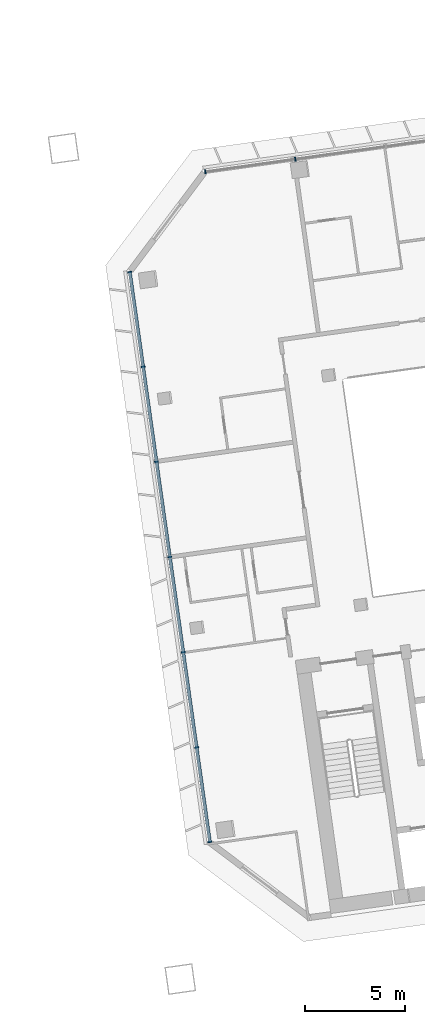
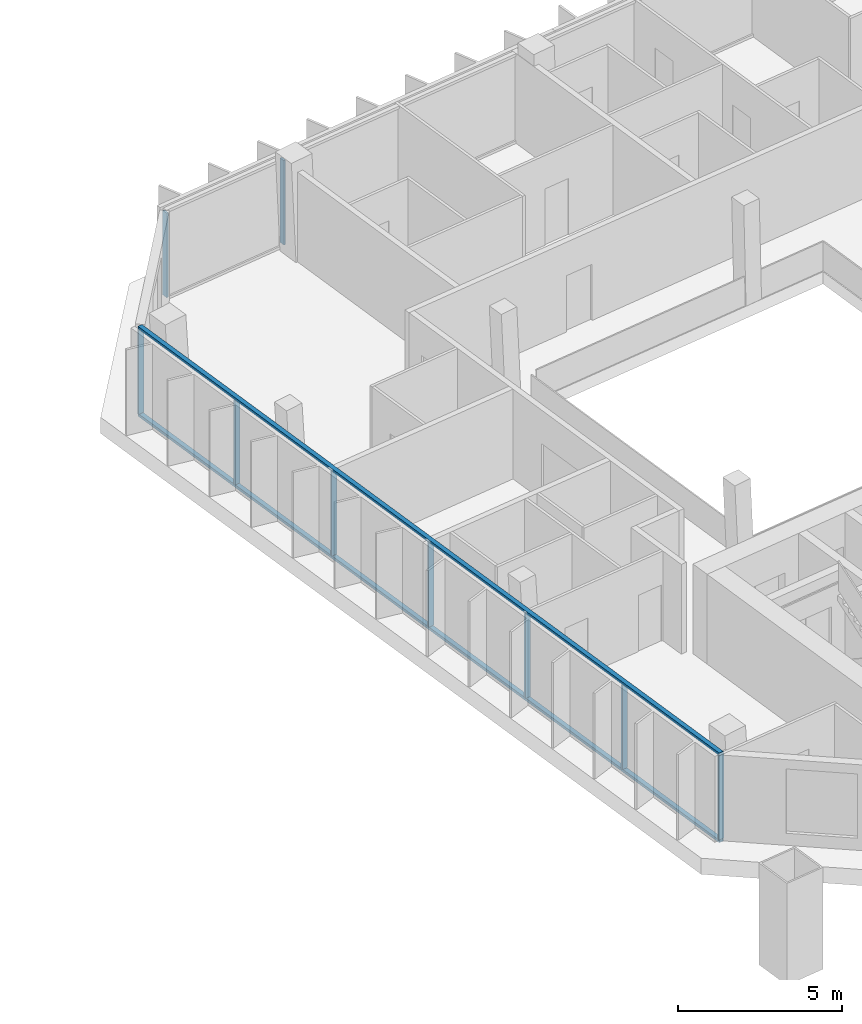
# One storey, part 7 of 23: 11 members, 2 elements without a shape of their own.
"""IFC4 building model written with IfcOpenShell, lengths in metres."""

from ifc_helpers import new_model, si_unit, direction, frame, origin, origin_2d, place, context, subcontext, project, spatial, rectangle, extrude, material, material_profile, profile_set, type_object, element, aggregate, save


model = new_model("IFC4")

# Units and contexts
model_context = context("Model", 3, precision=1e-05, world=origin(), true_north=direction((0.0, 1.0)))
body_context = subcontext(model_context, "Body", "Model", "MODEL_VIEW")
ifc_project = project(units=[si_unit("LENGTHUNIT", "METRE"), si_unit("AREAUNIT", "SQUARE_METRE"), si_unit("VOLUMEUNIT", "CUBIC_METRE"), si_unit("PLANEANGLEUNIT", "RADIAN"), si_unit("MASSUNIT", "GRAM", prefix="KILO")], contexts=[model_context])

# Site, building, storey
site_placement = place(None, origin())
site = spatial("IfcSite", under=ifc_project, at=site_placement, CompositionType="ELEMENT")
building_placement = place(site_placement, origin())
building = spatial("IfcBuilding", under=site, at=building_placement, Name="Mirante Cascada Hotel Towers", CompositionType="ELEMENT")
storey_placement = place(building_placement, frame((0.0, 0.0, 180.2)))
storey = spatial("IfcBuildingStorey", under=building, at=storey_placement, Name="L42", CompositionType="ELEMENT", Elevation=180.2)

# Curtain wall, members
ifc_material_1 = material(Name="Aluminium mullion and transom frame with clear laminated glass", Category="aluminium")
curtain_wall_type_1 = type_object("IfcCurtainWallType", Name="Ribbon curtain wall ECW1", PredefinedType="NOTDEFINED", material=ifc_material_1)
curtain_wall_1_placement = place(storey_placement, origin())
curtain_wall_1 = element("IfcCurtainWall", 1, at=curtain_wall_1_placement, inside=storey, type_object=curtain_wall_type_1, Name="Front ribbon wall T2 L42", PredefinedType="NOTDEFINED")
ifc_material_2 = material(Name="Anodised aluminium extrusion", Category="aluminium")
ifc_material_profile_1 = material_profile(ifc_material_2, rectangle(XDim=0.2, YDim=0.065, at=origin_2d()), Name="ECW1 MULLION 65x200")
ifc_profile_set_1 = profile_set([ifc_material_profile_1], Name="Anodised aluminium extrusion")
member_type_1 = type_object("IfcMemberType", Name="ECW1 mullion 65x200", PredefinedType="MULLION", material=ifc_profile_set_1)
member_1_placement = place(storey_placement, frame((35.4933, 17.8073, 0.1), z_axis=(0.0, 0.0, 1.0), x_axis=(0.1391731, -0.9902681, 0.0)))
member_1 = element("IfcMember", 2, at=member_1_placement, type_object=member_type_1, Name="ECW1 mullion 10", PredefinedType="MULLION", context=body_context, shape_type="SweptSolid", body=[
    extrude(rectangle(XDim=0.2, YDim=0.065, at=origin_2d()), origin(), (0.0, 0.0, 1.0), 3.15),
])
member_2_placement = place(storey_placement, frame((30.9877, 17.1741, 0.1), z_axis=(0.0, 0.0, 1.0), x_axis=(0.1391731, -0.9902681, 0.0)))
member_2 = element("IfcMember", 3, at=member_2_placement, type_object=member_type_1, Name="ECW1 mullion 11", PredefinedType="MULLION", context=body_context, shape_type="SweptSolid", body=[
    extrude(rectangle(XDim=0.2, YDim=0.065, at=origin_2d()), origin(), (0.0, 0.0, 1.0), 3.15),
])
aggregate(curtain_wall_1, [member_1, member_2])

ifc_material_3 = material(Name="Aluminium mullion and transom frame with clear laminated glass", Category="aluminium")
curtain_wall_type_2 = type_object("IfcCurtainWallType", Name="End ribbon curtain wall ECW2", PredefinedType="NOTDEFINED", material=ifc_material_3)
curtain_wall_2_placement = place(storey_placement, origin())
curtain_wall_2 = element("IfcCurtainWall", 4, at=curtain_wall_2_placement, inside=storey, type_object=curtain_wall_type_2, Name="Inner end wall T2 L42", PredefinedType="NOTDEFINED")
ifc_material_4 = material(Name="Anodised aluminium extrusion", Category="aluminium")
ifc_material_profile_2 = material_profile(ifc_material_4, rectangle(XDim=0.2, YDim=0.065, at=origin_2d()), Name="ECW2 MULLION 65x200")
ifc_profile_set_2 = profile_set([ifc_material_profile_2], Name="Anodised aluminium extrusion")
member_type_2 = type_object("IfcMemberType", Name="ECW2 mullion 65x200", PredefinedType="MULLION", material=ifc_profile_set_2)
member_3_placement = place(storey_placement, frame((27.2049, 12.1541, 0.1), z_axis=(0.0, 0.0, 1.0), x_axis=(0.9902681, 0.1391731, 0.0)))
member_3 = element("IfcMember", 5, at=member_3_placement, type_object=member_type_2, Name="ECW2 mullion 1", PredefinedType="MULLION", context=body_context, shape_type="SweptSolid", body=[
    extrude(rectangle(XDim=0.2, YDim=0.065, at=origin_2d()), origin(), (0.0, 0.0, 1.0), 3.15),
])
member_4_placement = place(storey_placement, frame((27.8702, 7.4205, 0.1), z_axis=(0.0, 0.0, 1.0), x_axis=(0.9902681, 0.1391731, 0.0)))
member_4 = element("IfcMember", 6, at=member_4_placement, type_object=member_type_2, Name="ECW2 mullion 2", PredefinedType="MULLION", context=body_context, shape_type="SweptSolid", body=[
    extrude(rectangle(XDim=0.2, YDim=0.065, at=origin_2d()), origin(), (0.0, 0.0, 1.0), 3.15),
])
member_5_placement = place(storey_placement, frame((28.54, 2.6547, 0.1), z_axis=(0.0, 0.0, 1.0), x_axis=(0.9902681, 0.1391731, 0.0)))
member_5 = element("IfcMember", 7, at=member_5_placement, type_object=member_type_2, Name="ECW2 mullion 3", PredefinedType="MULLION", context=body_context, shape_type="SweptSolid", body=[
    extrude(rectangle(XDim=0.2, YDim=0.065, at=origin_2d()), origin(), (0.0, 0.0, 1.0), 3.15),
])
member_6_placement = place(storey_placement, frame((29.2097, -2.1111, 0.1), z_axis=(0.0, 0.0, 1.0), x_axis=(0.9902681, 0.1391731, 0.0)))
member_6 = element("IfcMember", 8, at=member_6_placement, type_object=member_type_2, Name="ECW2 mullion 4", PredefinedType="MULLION", context=body_context, shape_type="SweptSolid", body=[
    extrude(rectangle(XDim=0.2, YDim=0.065, at=origin_2d()), origin(), (0.0, 0.0, 1.0), 3.15),
])
member_7_placement = place(storey_placement, frame((29.8795, -6.8769, 0.1), z_axis=(0.0, 0.0, 1.0), x_axis=(0.9902681, 0.1391731, 0.0)))
member_7 = element("IfcMember", 9, at=member_7_placement, type_object=member_type_2, Name="ECW2 mullion 5", PredefinedType="MULLION", context=body_context, shape_type="SweptSolid", body=[
    extrude(rectangle(XDim=0.2, YDim=0.065, at=origin_2d()), origin(), (0.0, 0.0, 1.0), 3.15),
])
member_8_placement = place(storey_placement, frame((30.5493, -11.6426, 0.1), z_axis=(0.0, 0.0, 1.0), x_axis=(0.9902681, 0.1391731, 0.0)))
member_8 = element("IfcMember", 10, at=member_8_placement, type_object=member_type_2, Name="ECW2 mullion 6", PredefinedType="MULLION", context=body_context, shape_type="SweptSolid", body=[
    extrude(rectangle(XDim=0.2, YDim=0.065, at=origin_2d()), origin(), (0.0, 0.0, 1.0), 3.15),
])
member_9_placement = place(storey_placement, frame((31.2146, -16.3762, 0.1), z_axis=(0.0, 0.0, 1.0), x_axis=(0.9902681, 0.1391731, 0.0)))
member_9 = element("IfcMember", 11, at=member_9_placement, type_object=member_type_2, Name="ECW2 mullion 7", PredefinedType="MULLION", context=body_context, shape_type="SweptSolid", body=[
    extrude(rectangle(XDim=0.2, YDim=0.065, at=origin_2d()), origin(), (0.0, 0.0, 1.0), 3.15),
])
ifc_material_5 = material(Name="Anodised aluminium extrusion", Category="aluminium")
ifc_material_profile_3 = material_profile(ifc_material_5, rectangle(XDim=0.16, YDim=0.1, at=origin_2d()), Name="ECW2 TRANSOM 100x160")
ifc_profile_set_3 = profile_set([ifc_material_profile_3], Name="Anodised aluminium extrusion")
member_type_3 = type_object("IfcMemberType", Name="ECW2 transom 100x160", PredefinedType="USERDEFINED", material=ifc_profile_set_3)
member_10_placement = place(storey_placement, frame((27.2004, 12.1863, 0.05), z_axis=(0.1391723, -0.9902682, 0.0), x_axis=(0.9902682, 0.1391723, 0.0)))
member_10 = element("IfcMember", 12, at=member_10_placement, type_object=member_type_3, Name="ECW2 sill transom", ObjectType="TRANSOM", PredefinedType="USERDEFINED", context=body_context, shape_type="SweptSolid", body=[
    extrude(rectangle(XDim=0.16, YDim=0.1, at=origin_2d()), origin(), (0.0, 0.0, 1.0), 28.8757),
])
member_11_placement = place(storey_placement, frame((27.2004, 12.1863, 3.3), z_axis=(0.1391723, -0.9902682, 0.0), x_axis=(0.9902682, 0.1391723, 0.0)))
member_11 = element("IfcMember", 13, at=member_11_placement, type_object=member_type_3, Name="ECW2 head transom", ObjectType="TRANSOM", PredefinedType="USERDEFINED", context=body_context, shape_type="SweptSolid", body=[
    extrude(rectangle(XDim=0.16, YDim=0.1, at=origin_2d()), origin(), (0.0, 0.0, 1.0), 28.8757),
])
aggregate(curtain_wall_2, [member_10, member_11, member_3, member_4, member_5, member_6, member_7, member_8, member_9])

save(model, "model.ifc")
